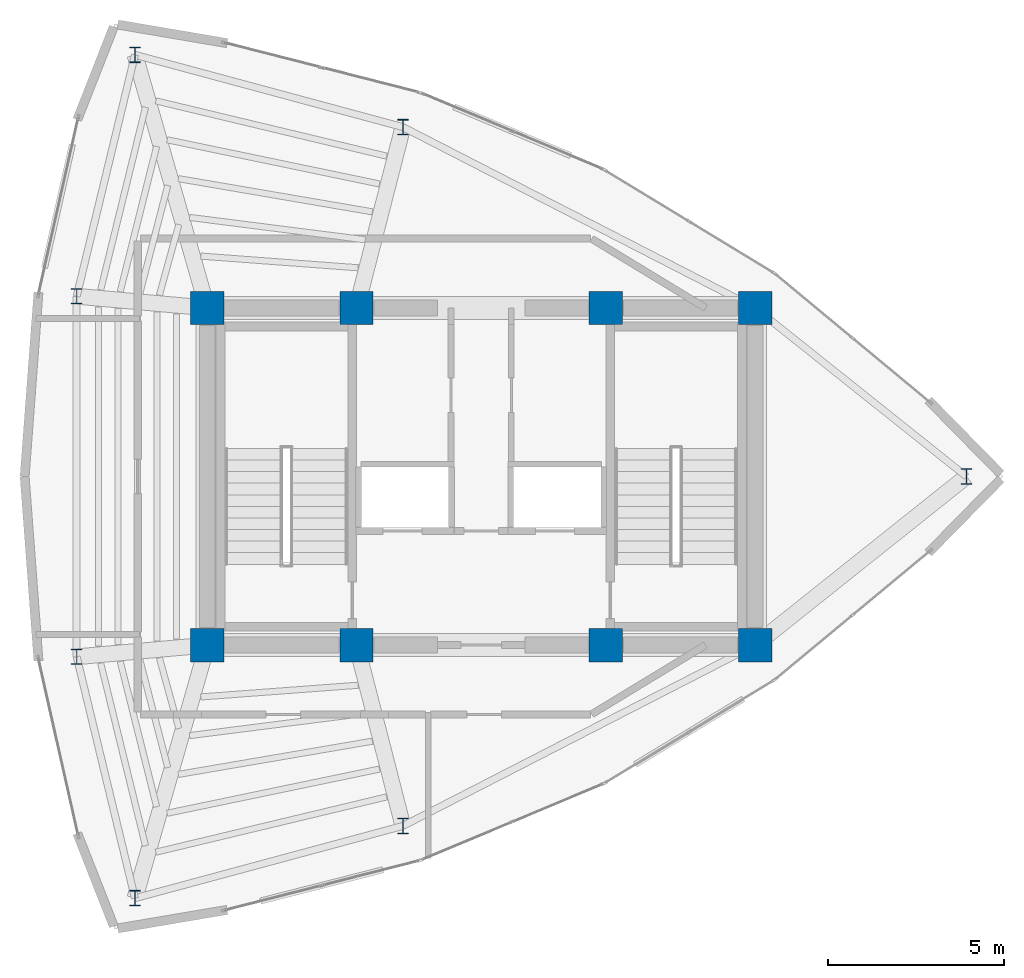
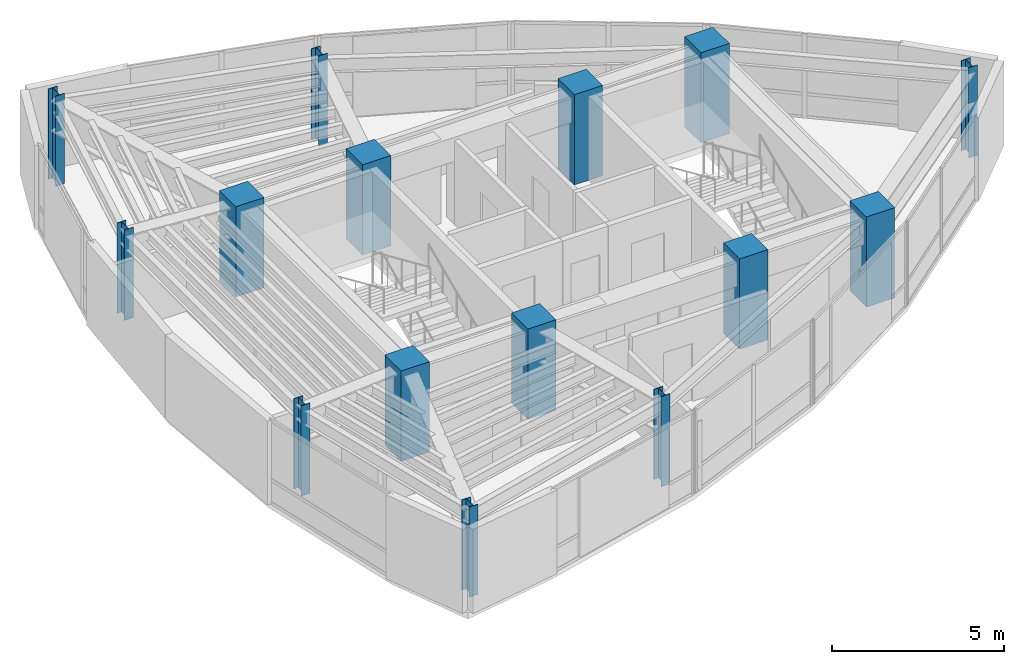
# One storey, part 1 of 14: 15 columns.
"""IFC4 building model written with IfcOpenShell, lengths in metres."""

from ifc_helpers import new_model, si_unit, direction, frame, origin, origin_2d, place, context, subcontext, project, spatial, rectangle, i_section, extrude, material, material_profile, profile_set, type_object, element, save


model = new_model("IFC4")

# Units and contexts
model_context = context("Model", 3, precision=1e-05, world=origin(), true_north=direction((0.0, 1.0)))
body_context = subcontext(model_context, "Body", "Model", "MODEL_VIEW")
ifc_project = project(units=[si_unit("LENGTHUNIT", "METRE"), si_unit("AREAUNIT", "SQUARE_METRE"), si_unit("VOLUMEUNIT", "CUBIC_METRE"), si_unit("PLANEANGLEUNIT", "RADIAN"), si_unit("MASSUNIT", "GRAM", prefix="KILO")], contexts=[model_context])

# Site, building, storey
site_placement = place(None, origin())
site = spatial("IfcSite", under=ifc_project, at=site_placement, CompositionType="ELEMENT")
building_placement = place(site_placement, origin())
building = spatial("IfcBuilding", under=site, at=building_placement, Name="Menara Vayukalpa", CompositionType="ELEMENT")
storey_placement = place(building_placement, frame((0.0, 0.0, 308.820068359375)))
storey = spatial("IfcBuildingStorey", under=building, at=storey_placement, Name="L79", CompositionType="ELEMENT", Elevation=308.820068359375)

# Columns
ifc_material_1 = material(Name="Concrete C60/75", Category="concrete")
ifc_material_profile_1 = material_profile(ifc_material_1, rectangle(XDim=0.949951171875, YDim=0.949951171875, at=origin_2d()), Name="RC 950x950")
ifc_profile_set_1 = profile_set([ifc_material_profile_1], Name="Concrete C60/75")
column_type_1 = type_object("IfcColumnType", Name="COL-CC2", PredefinedType="COLUMN", material=ifc_profile_set_1)
for number, where, z_axis, x_axis, name in (
    (1, (17.800048828125, 17.199951171875, 0.0), (0.0, 0.0, 1.0), (1.0, 0.0, 0.0), "L79 Core Pilaster Column CC1"),
    (2, (22.050048828125, 17.199951171875, 0.0), (0.0, 0.0, 1.0), (1.0, 0.0, 0.0), "L79 Core Pilaster Column CC2"),
    (3, (29.14990234375, 17.199951171875, 0.0), (0.0, 0.0, 1.0), (1.0, 0.0, 0.0), "L79 Core Pilaster Column CC3"),
    (4, (33.39990234375, 17.199951171875, 0.0), (0.0, 0.0, 1.0), (1.0, 0.0, 0.0), "L79 Core Pilaster Column CC4"),
    (5, (17.800048828125, 26.800048828125, 0.0), (0.0, 0.0, 1.0), (1.0, 0.0, 0.0), "L79 Core Pilaster Column CC5"),
    (6, (22.050048828125, 26.800048828125, 0.0), (0.0, 0.0, 1.0), (1.0, 0.0, 0.0), "L79 Core Pilaster Column CC6"),
    (7, (29.14990234375, 26.800048828125, 0.0), (0.0, 0.0, 1.0), (1.0, 0.0, 0.0), "L79 Core Pilaster Column CC7"),
    (8, (33.39990234375, 26.800048828125, 0.0), (0.0, 0.0, 1.0), (1.0, 0.0, 0.0), "L79 Core Pilaster Column CC8"),
):
    element("IfcColumn", number, at=place(storey_placement, frame(where, z_axis=z_axis, x_axis=x_axis)), inside=storey, type_object=column_type_1, Name=name, PredefinedType="COLUMN", context=body_context, shape_type="SweptSolid", body=[
        extrude(rectangle(XDim=0.949951171875, YDim=0.949951171875, at=origin_2d()), origin(), (0.0, 0.0, 1.0), 3.199951171875),
    ])
ifc_material_2 = material(Name="Steel S355", Category="steel")
ifc_material_profile_2 = material_profile(ifc_material_2, i_section(OverallWidth=0.300048828125, OverallDepth=0.43994140625, WebThickness=0.010986328125, FlangeThickness=0.01806640625, at=origin_2d()), Name="H 440x300x11x18")
ifc_profile_set_2 = profile_set([ifc_material_profile_2], Name="Steel S355")
column_type_2 = type_object("IfcColumnType", Name="COL-SC2", PredefinedType="COLUMN", material=ifc_profile_set_2)
for number, where, z_axis, x_axis, name in (
    (9, (39.4189453125, 22.0, 0.0), (0.0, 0.0, 1.0), (1.0, 0.0, 0.0), "L79 Perimeter Mega Column P01"),
    (10, (23.37060546875, 31.949462890625, 0.0), (0.0, 0.0, 1.0), (1.0, 0.0, 0.0), "L79 Perimeter Mega Column P03"),
    (11, (15.740478515625, 34.0078125, 0.0), (0.0, 0.0, 1.0), (1.0, 0.0, 0.0), "L79 Perimeter Mega Column P04"),
    (12, (14.081298828125, 27.1328125, 0.0), (0.0, 0.0, 1.0), (1.0, 0.0, 0.0), "L79 Perimeter Mega Column P05"),
    (13, (14.081298828125, 16.8671875, 0.0), (0.0, 0.0, 1.0), (1.0, 0.0, 0.0), "L79 Perimeter Mega Column P06"),
    (14, (15.740478515625, 9.9921875, 0.0), (0.0, 0.0, 1.0), (1.0, 0.0, 0.0), "L79 Perimeter Mega Column P07"),
    (15, (23.37060546875, 12.050537109375, 0.0), (0.0, 0.0, 1.0), (1.0, 0.0, 0.0), "L79 Perimeter Mega Column P08"),
):
    element("IfcColumn", number, at=place(storey_placement, frame(where, z_axis=z_axis, x_axis=x_axis)), inside=storey, type_object=column_type_2, Name=name, PredefinedType="COLUMN", context=body_context, shape_type="SweptSolid", body=[
        extrude(i_section(OverallWidth=0.300048828125, OverallDepth=0.43994140625, WebThickness=0.010986328125, FlangeThickness=0.01806640625, at=origin_2d()), origin(), (0.0, 0.0, 1.0), 3.199951171875),
    ])

save(model, "model.ifc")
